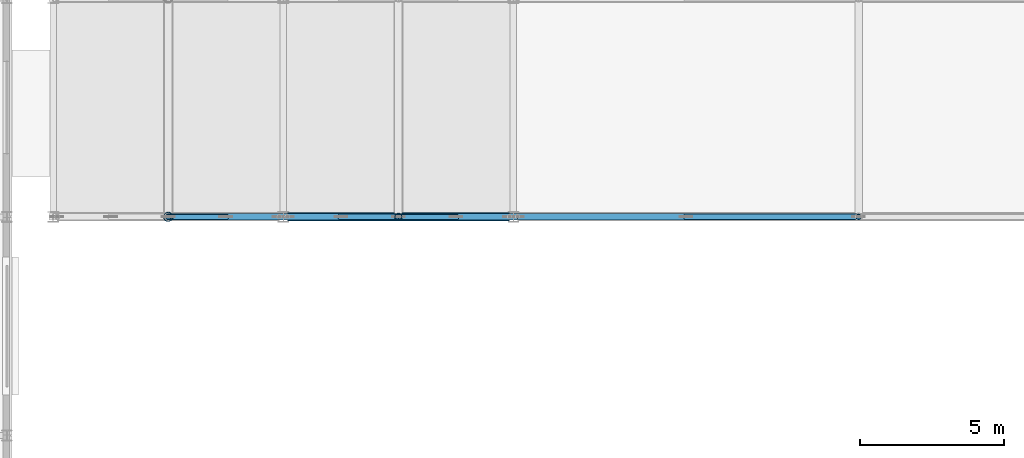
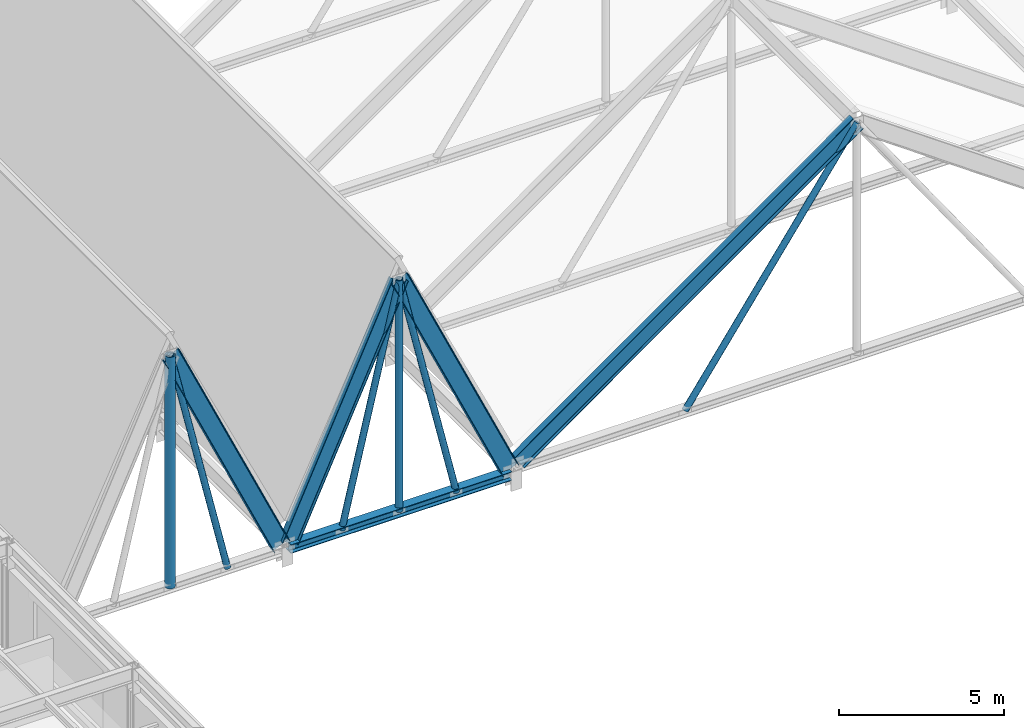
# One storey, part 36 of 85: 7 members, 4 beams.
"""IFC4 building model written with IfcOpenShell, lengths in metres."""

from ifc_helpers import new_model, si_unit, direction, frame, origin, origin_2d, place, context, subcontext, project, spatial, hollow_circle, i_section, extrude, material, material_profile, profile_set, type_object, element, save


model = new_model("IFC4")

# Units and contexts
model_context = context("Model", 3, precision=1e-05, world=origin(), true_north=direction((0.0, 1.0)))
body_context = subcontext(model_context, "Body", "Model", "MODEL_VIEW")
ifc_project = project(units=[si_unit("LENGTHUNIT", "METRE"), si_unit("AREAUNIT", "SQUARE_METRE"), si_unit("VOLUMEUNIT", "CUBIC_METRE"), si_unit("PLANEANGLEUNIT", "RADIAN"), si_unit("MASSUNIT", "GRAM", prefix="KILO")], contexts=[model_context])

# Site, building, storey
site_placement = place(None, origin())
site = spatial("IfcSite", under=ifc_project, at=site_placement, CompositionType="ELEMENT")
building_placement = place(site_placement, origin())
building = spatial("IfcBuilding", under=site, at=building_placement, Name="Zulena Civic Courthouse", CompositionType="ELEMENT")
storey_placement = place(building_placement, frame((0.0, 0.0, 25.199951171875)))
storey = spatial("IfcBuildingStorey", under=building, at=storey_placement, Name="L05", CompositionType="ELEMENT", Elevation=25.199951171875)

# Member
ifc_material_1 = material(Name="Steel ASTM A992 Grade 50", Category="steel")
ifc_material_profile_1 = material_profile(ifc_material_1, i_section(OverallWidth=0.30908203125, OverallDepth=0.322998046875, WebThickness=0.013916015625, FlangeThickness=0.02294921875, FilletRadius=0.01513671875, at=origin_2d()), Name="W12X96")
ifc_profile_set_1 = profile_set([ifc_material_profile_1], Name="Steel ASTM A992 Grade 50")
member_type_1 = type_object("IfcMemberType", Name="Chord_W12X96", PredefinedType="CHORD", material=ifc_profile_set_1)
member_1_placement = place(storey_placement, frame((76.139892578125, 15.199951171875, 0.343017578125), z_axis=(1.0, 0.0, 0.0), x_axis=(0.0, 1.0, 0.0)))
element("IfcMember", 1, at=member_1_placement, inside=storey, type_object=member_type_1, Name="mem:fold:tie:02:15.2", PredefinedType="CHORD", context=body_context, shape_type="SweptSolid", body=[
    extrude(i_section(OverallWidth=0.30908203125, OverallDepth=0.322998046875, WebThickness=0.013916015625, FlangeThickness=0.02294921875, FilletRadius=0.01513671875, at=origin_2d()), origin(), (0.0, 0.0, 1.0), 7.72021484375),
])

# Beams
ifc_material_profile_2 = material_profile(ifc_material_1, i_section(OverallWidth=0.22802734375, OverallDepth=0.60693359375, WebThickness=0.01123046875, FlangeThickness=0.017333984375, FilletRadius=0.0126953125, at=origin_2d()), Name="W24X76")
ifc_profile_set_2 = profile_set([ifc_material_profile_2], Name="Steel ASTM A992 Grade 50")
beam_type = type_object("IfcBeamType", Name="RoofRafter_W24X76", PredefinedType="BEAM", material=ifc_profile_set_2)
for number, where, z_axis, x_axis, name in (
    (2, (72.010009765625, 15.199951171875, 8.903076171875), (0.416657439766, 0.0, -0.909063571973), (0.0, 1.0, 0.0), "beam:fold:rafE:01:15.2"),
    (3, (76.139892578125, 15.199951171875, 0.5029296875), (0.416657439766, 0.0, 0.909063571973), (0.0, 1.0, 0.0), "beam:fold:rafW:02:15.2"),
    (4, (80.010009765625, 15.199951171875, 8.903076171875), (0.416657439766, 0.0, -0.909063571973), (0.0, 1.0, 0.0), "beam:fold:rafE:02:15.2"),
):
    element("IfcBeam", number, at=place(storey_placement, frame(where, z_axis=z_axis, x_axis=x_axis)), inside=storey, type_object=beam_type, Name=name, PredefinedType="BEAM", context=body_context, shape_type="SweptSolid", body=[
        extrude(i_section(OverallWidth=0.22802734375, OverallDepth=0.60693359375, WebThickness=0.01123046875, FlangeThickness=0.017333984375, FilletRadius=0.0126953125, at=origin_2d()), origin(), (0.0, 0.0, 1.0), 9.240478515625),
    ])
beam_placement = place(storey_placement, frame((84.139892578125, 15.199951171875, 0.696533203125), z_axis=(0.815826895682, 0.0, 0.578296183873), x_axis=(0.0, 1.0, 0.0)))
element("IfcBeam", 5, at=beam_placement, inside=storey, type_object=beam_type, Name="beam:fold:rafW:03:15.2", PredefinedType="BEAM", context=body_context, shape_type="SweptSolid", body=[
    extrude(i_section(OverallWidth=0.22802734375, OverallDepth=0.60693359375, WebThickness=0.01123046875, FlangeThickness=0.017333984375, FilletRadius=0.0126953125, at=origin_2d()), origin(), (0.0, 0.0, 1.0), 14.525146484375),
])

# Members
ifc_material_2 = material(Name="Steel ASTM A500 Grade C", Category="steel")
ifc_material_profile_3 = material_profile(ifc_material_2, hollow_circle(Radius=0.126953125, WallThickness=0.01171875, at=origin_2d()), Name="HSS10.000X0.500")
ifc_profile_set_3 = profile_set([ifc_material_profile_3], Name="Steel ASTM A500 Grade C")
member_type_2 = type_object("IfcMemberType", Name="RoofWeb_CHS10", PredefinedType="USERDEFINED", material=ifc_profile_set_3)
member_2_placement = place(storey_placement, frame((80.0, 15.199951171875, 0.343017578125), z_axis=(0.0, 0.0, 1.0), x_axis=(1.0, 0.0, 0.0)))
element("IfcMember", 6, at=member_2_placement, inside=storey, type_object=member_type_2, Name="mem:fold:king:02:15.2", ObjectType="ROOF TRUSS", PredefinedType="USERDEFINED", context=body_context, shape_type="SweptSolid", body=[
    extrude(hollow_circle(Radius=0.126953125, WallThickness=0.01171875, at=origin_2d()), origin(), (0.0, 0.0, 1.0), 8.56005859375),
])
ifc_material_profile_4 = material_profile(ifc_material_2, hollow_circle(Radius=0.162109375, WallThickness=0.01171875, at=origin_2d()), Name="HSS12.750X0.500")
ifc_profile_set_4 = profile_set([ifc_material_profile_4], Name="Steel ASTM A500 Grade C")
member_type_3 = type_object("IfcMemberType", Name="RoofWeb_CHS12", PredefinedType="USERDEFINED", material=ifc_profile_set_4)
member_3_placement = place(storey_placement, frame((72.0, 15.199951171875, 0.343017578125), z_axis=(0.0, 0.0, 1.0), x_axis=(1.0, 0.0, 0.0)))
element("IfcMember", 7, at=member_3_placement, inside=storey, type_object=member_type_3, Name="mem:fold:king:01:15.2", ObjectType="ROOF TRUSS", PredefinedType="USERDEFINED", context=body_context, shape_type="SweptSolid", body=[
    extrude(hollow_circle(Radius=0.162109375, WallThickness=0.01171875, at=origin_2d()), origin(), (0.0, 0.0, 1.0), 8.56005859375),
])
ifc_material_profile_5 = material_profile(ifc_material_2, hollow_circle(Radius=0.109619140625, WallThickness=0.0087890625, at=origin_2d()), Name="HSS8.625X0.375")
ifc_profile_set_5 = profile_set([ifc_material_profile_5], Name="Steel ASTM A500 Grade C")
member_type_4 = type_object("IfcMemberType", Name="RoofWeb_CHS8", PredefinedType="USERDEFINED", material=ifc_profile_set_5)
for number, where, z_axis, x_axis, name in (
    (8, (74.0, 15.199951171875, 0.343017578125), (-0.227515822053, 0.0, 0.973774383888), (0.0, -1.0, 0.0), "mem:fold:diagE:01:15.2"),
    (9, (78.0, 15.199951171875, 0.343017578125), (0.227515822053, 0.0, 0.973774383888), (0.0, 1.0, 0.0), "mem:fold:diagW:02:15.2"),
    (10, (82.0, 15.199951171875, 0.343017578125), (-0.227515822053, 0.0, 0.973774383888), (0.0, -1.0, 0.0), "mem:fold:diagE:02:15.2"),
):
    element("IfcMember", number, at=place(storey_placement, frame(where, z_axis=z_axis, x_axis=x_axis)), inside=storey, type_object=member_type_4, Name=name, ObjectType="ROOF TRUSS", PredefinedType="USERDEFINED", context=body_context, shape_type="SweptSolid", body=[
        extrude(hollow_circle(Radius=0.109619140625, WallThickness=0.0087890625, at=origin_2d()), origin(), (0.0, 0.0, 1.0), 8.79052734375),
    ])
member_4_placement = place(storey_placement, frame((90.0, 15.199951171875, 0.536376953125), z_axis=(0.573973222061, 0.0, 0.81887406868), x_axis=(0.0, 1.0, 0.0)))
element("IfcMember", 11, at=member_4_placement, inside=storey, type_object=member_type_4, Name="mem:fold:diagW:03:15.2", ObjectType="ROOF TRUSS", PredefinedType="USERDEFINED", context=body_context, shape_type="SweptSolid", body=[
    extrude(hollow_circle(Radius=0.109619140625, WallThickness=0.0087890625, at=origin_2d()), origin(), (0.0, 0.0, 1.0), 10.453369140625),
])

save(model, "model.ifc")
